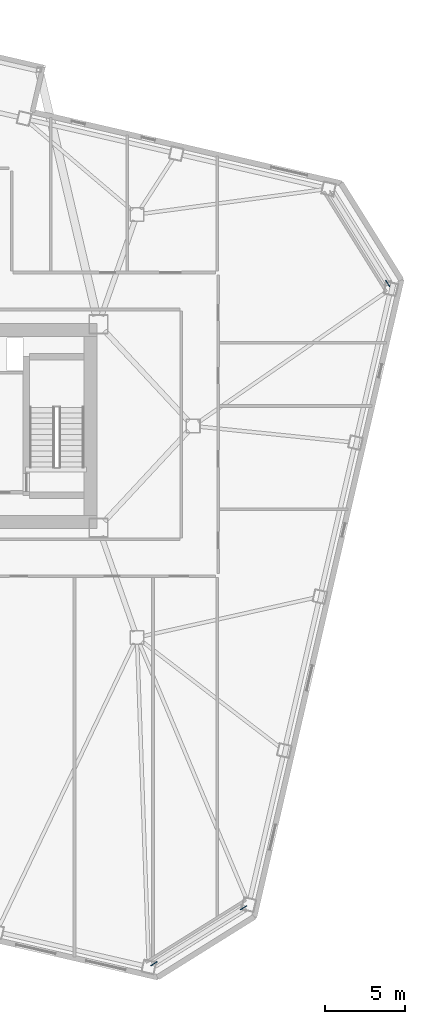
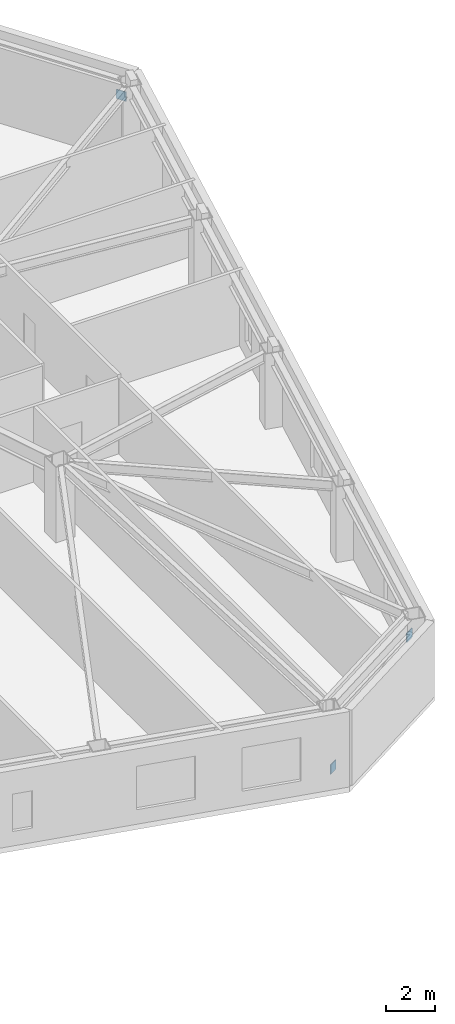
# One storey, part 18 of 20: 3 discrete accessories.
"""IFC4 building model written with IfcOpenShell, lengths in metres."""

from ifc_helpers import new_model, si_unit, direction, frame, origin, origin_2d, place, context, subcontext, project, spatial, rectangle, extrude, material, type_object, element, save


model = new_model("IFC4")

# Units and contexts
model_context = context("Model", 3, precision=1e-05, world=origin(), true_north=direction((0.0, 1.0)))
body_context = subcontext(model_context, "Body", "Model", "MODEL_VIEW")
ifc_project = project(units=[si_unit("LENGTHUNIT", "METRE"), si_unit("AREAUNIT", "SQUARE_METRE"), si_unit("VOLUMEUNIT", "CUBIC_METRE"), si_unit("PLANEANGLEUNIT", "RADIAN"), si_unit("MASSUNIT", "GRAM", prefix="KILO")], contexts=[model_context])

# Site, building, storey
site_placement = place(None, origin())
site = spatial("IfcSite", under=ifc_project, at=site_placement, CompositionType="ELEMENT")
building_placement = place(site_placement, origin())
building = spatial("IfcBuilding", under=site, at=building_placement, Name="Tavrogorsk Clinical Tower", CompositionType="ELEMENT")
storey_placement = place(building_placement, frame((0.0, 0.0, 67.39990234375)))
storey = spatial("IfcBuildingStorey", under=building, at=storey_placement, Name="L14", CompositionType="ELEMENT", Elevation=67.39990234375)

# Discrete accessories
ifc_material = material(Name="Structural steel S440", Category="steel")
discrete_accessory_type = type_object("IfcDiscreteAccessoryType", Name="GussetPlateBracket_25", PredefinedType="BRACKET", material=ifc_material)
for number, where, z_axis, x_axis, name in (
    (1, (25.56396484375, -33.553955078125, 0.212646484375), (0.0, 0.0, 1.0), (0.848048096156, 0.529919264233, 0.0), "L14 Brace Gusset Plate EXOCRN-L14-1-A"),
    (2, (31.15185546875, -30.062255859375, 2.667724609375), (0.0, 0.0, 1.0), (0.848048096156, 0.529919264233, 0.0), "L14 Brace Gusset Plate EXOCRN-L14-1-B"),
    (3, (40.145751953125, 8.893798828125, 2.667724609375), (0.0, 0.0, 1.0), (0.529919264233, -0.848048096156, 0.0), "L14 Brace Gusset Plate EXOCRN-L14-2-B"),
):
    element("IfcDiscreteAccessory", number, at=place(storey_placement, frame(where, z_axis=z_axis, x_axis=x_axis)), inside=storey, type_object=discrete_accessory_type, Name=name, PredefinedType="BRACKET", context=body_context, shape_type="SweptSolid", body=[
        extrude(rectangle(XDim=0.4599609375, YDim=0.0400390625, at=origin_2d()), origin(), (0.0, 0.0, 1.0), 0.4599609375),
    ])

save(model, "model.ifc")
